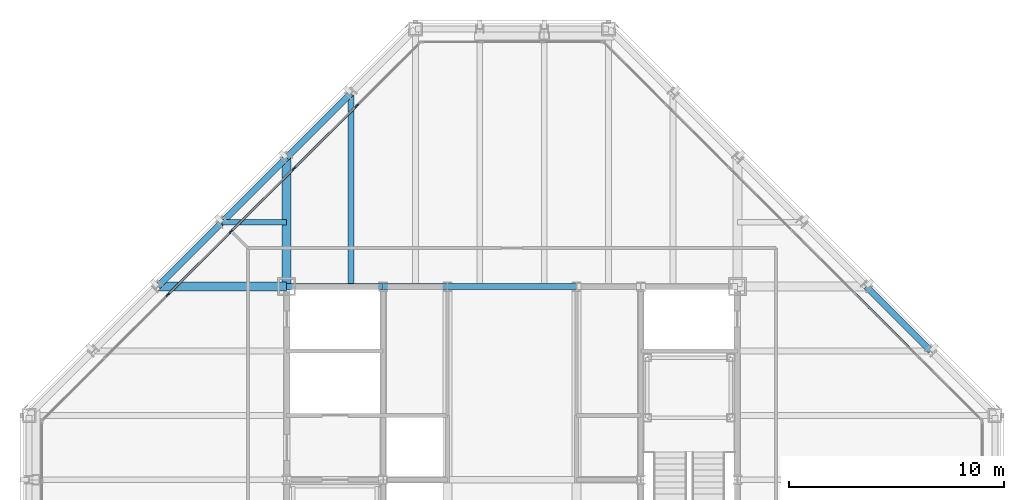
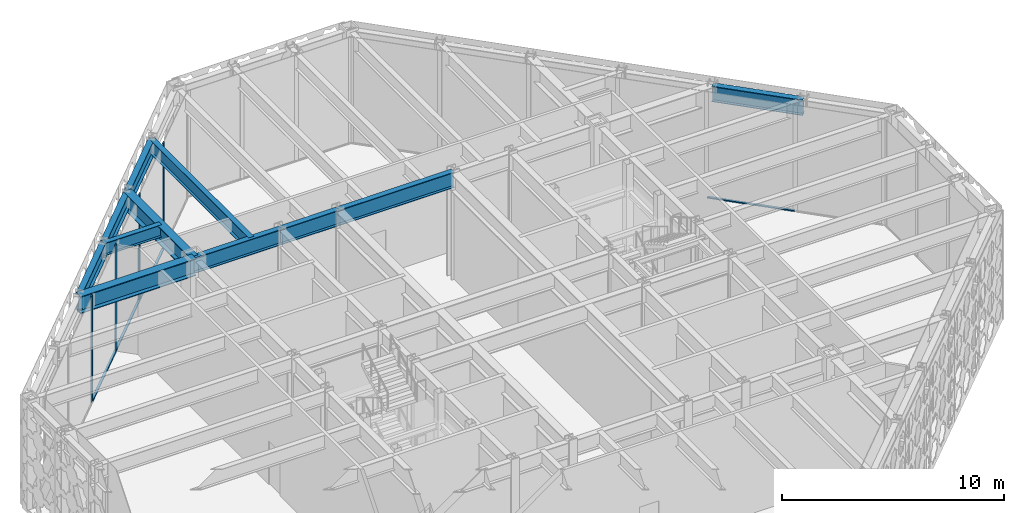
# One storey, part 8 of 28: 11 beams, 8 members, 2 elements without a shape of their own.
"""IFC4 building model written with IfcOpenShell, lengths in metres."""

from ifc_helpers import new_model, si_unit, direction, frame, origin, origin_2d, place, context, subcontext, project, spatial, rectangle, i_section, extrude, material, layer, layer_set, material_profile, profile_set, type_object, element, aggregate, save


model = new_model("IFC4")

# Units and contexts
model_context = context("Model", 3, precision=1e-05, world=origin(), true_north=direction((0.0, 1.0)))
body_context = subcontext(model_context, "Body", "Model", "MODEL_VIEW")
ifc_project = project(units=[si_unit("LENGTHUNIT", "METRE"), si_unit("AREAUNIT", "SQUARE_METRE"), si_unit("VOLUMEUNIT", "CUBIC_METRE"), si_unit("PLANEANGLEUNIT", "RADIAN"), si_unit("MASSUNIT", "GRAM", prefix="KILO")], contexts=[model_context])

# Site, building, storey
site_placement = place(None, origin())
site = spatial("IfcSite", under=ifc_project, at=site_placement, CompositionType="ELEMENT")
building_placement = place(site_placement, origin())
building = spatial("IfcBuilding", under=site, at=building_placement, Name="Chuquiago Exchange Tower", CompositionType="ELEMENT")
storey_placement = place(building_placement, frame((0.0, 0.0, 300.0)))
storey = spatial("IfcBuildingStorey", under=building, at=storey_placement, Name="L67", CompositionType="ELEMENT", Elevation=300.0)

# Beams
ifc_material_1 = material(Name="Steel ASTM A992", Category="steel")
ifc_material_profile_1 = material_profile(ifc_material_1, i_section(OverallWidth=0.2919921875, OverallDepth=0.8583984375, WebThickness=0.01708984375, FlangeThickness=0.031005859375, at=origin_2d()), Name="W33X169")
ifc_profile_set_1 = profile_set([ifc_material_profile_1], Name="Steel ASTM A992")
beam_type_1 = type_object("IfcBeamType", Name="B3 W33X169", PredefinedType="BEAM", material=ifc_profile_set_1)
beam_1_placement = place(storey_placement, frame((12.0, 33.0, 5.41064453125), z_axis=(1.0, 0.0, 0.0), x_axis=(0.0, 1.0, 0.0)))
element("IfcBeam", 1, at=beam_1_placement, inside=storey, type_object=beam_type_1, Name="CB-L68-12_33-16.5_33", PredefinedType="BEAM", context=body_context, shape_type="SweptSolid", body=[
    extrude(i_section(OverallWidth=0.2919921875, OverallDepth=0.8583984375, WebThickness=0.01708984375, FlangeThickness=0.031005859375, at=origin_2d()), origin(), (0.0, 0.0, 1.0), 4.5),
])
beam_2_placement = place(storey_placement, frame((16.5, 33.0, 5.41064453125), z_axis=(1.0, 0.0, 0.0), x_axis=(0.0, 1.0, 0.0)))
element("IfcBeam", 2, at=beam_2_placement, inside=storey, type_object=beam_type_1, Name="CB-L68-16.5_33-19.5_33", PredefinedType="BEAM", context=body_context, shape_type="SweptSolid", body=[
    extrude(i_section(OverallWidth=0.2919921875, OverallDepth=0.8583984375, WebThickness=0.01708984375, FlangeThickness=0.031005859375, at=origin_2d()), origin(), (0.0, 0.0, 1.0), 3.0),
])
beam_3_placement = place(storey_placement, frame((19.5, 33.0, 5.41064453125), z_axis=(1.0, 0.0, 0.0), x_axis=(0.0, 1.0, 0.0)))
element("IfcBeam", 3, at=beam_3_placement, inside=storey, type_object=beam_type_1, Name="CB-L68-19.5_33-25.5_33", PredefinedType="BEAM", context=body_context, shape_type="SweptSolid", body=[
    extrude(i_section(OverallWidth=0.2919921875, OverallDepth=0.8583984375, WebThickness=0.01708984375, FlangeThickness=0.031005859375, at=origin_2d()), origin(), (0.0, 0.0, 1.0), 6.0),
])
ifc_material_2 = material(Name="Steel ASTM A992", Category="steel")
ifc_material_profile_2 = material_profile(ifc_material_2, i_section(OverallWidth=0.2666015625, OverallDepth=0.761962890625, WebThickness=0.014404296875, FlangeThickness=0.021484375, at=origin_2d()), Name="W30X116")
ifc_profile_set_2 = profile_set([ifc_material_profile_2], Name="Steel ASTM A992")
beam_type_2 = type_object("IfcBeamType", Name="B8 W30X116", PredefinedType="BEAM", material=ifc_profile_set_2)
beam_4_placement = place(storey_placement, frame((15.0, 33.0, 5.458984375), z_axis=(0.0, 1.0, 0.0), x_axis=(-1.0, 0.0, 0.0)))
element("IfcBeam", 4, at=beam_4_placement, inside=storey, type_object=beam_type_2, Name="FB-L68-infill-15_33-15_42-0", PredefinedType="BEAM", context=body_context, shape_type="SweptSolid", body=[
    extrude(i_section(OverallWidth=0.2666015625, OverallDepth=0.761962890625, WebThickness=0.014404296875, FlangeThickness=0.021484375, at=origin_2d()), origin(), (0.0, 0.0, 1.0), 9.0),
])
ifc_material_3 = material(Name="Steel ASTM A992", Category="steel")
ifc_material_profile_3 = material_profile(ifc_material_3, i_section(OverallWidth=0.256591796875, OverallDepth=0.693359375, WebThickness=0.014404296875, FlangeThickness=0.023681640625, at=origin_2d()), Name="W27X114")
ifc_profile_set_3 = profile_set([ifc_material_profile_3], Name="Steel ASTM A992")
beam_type_3 = type_object("IfcBeamType", Name="B9 W27X114", PredefinedType="BEAM", material=ifc_profile_set_3)
beam_5_placement = place(storey_placement, frame((12.0, 36.0, 5.493408203125), z_axis=(-1.0, 0.0, 0.0), x_axis=(0.0, -1.0, 0.0)))
element("IfcBeam", 5, at=beam_5_placement, inside=storey, type_object=beam_type_3, Name="FB-L68-corner-12_36-9_36-0", PredefinedType="BEAM", context=body_context, shape_type="SweptSolid", body=[
    extrude(i_section(OverallWidth=0.256591796875, OverallDepth=0.693359375, WebThickness=0.014404296875, FlangeThickness=0.023681640625, at=origin_2d()), origin(), (0.0, 0.0, 1.0), 3.0),
])

# Curtain wall, members
ifc_material_4 = material(Name="Aluminium curtain wall system", Category="aluminium")
ifc_layer = layer(ifc_material_4, 0.199951171875)
ifc_layer_set = layer_set([ifc_layer], Name="CW5 lantern curtain wall")
curtain_wall_type = type_object("IfcCurtainWallType", Name="CW5 lantern curtain wall", PredefinedType="NOTDEFINED", material=ifc_layer_set)
curtain_wall_1_placement = place(storey_placement, origin())
curtain_wall_1 = element("IfcCurtainWall", 6, at=curtain_wall_1_placement, inside=storey, type_object=curtain_wall_type, Name="CW5 curtain wall L67", PredefinedType="NOTDEFINED")
ifc_material_5 = material(Name="Aluminium mullion, pale anodised", Category="aluminium")
ifc_material_profile_4 = material_profile(ifc_material_5, rectangle(XDim=0.06005859375, YDim=0.199951171875, at=origin_2d()), Name="AL 60x200")
ifc_profile_set_4 = profile_set([ifc_material_profile_4], Name="Aluminium mullion, pale anodised")
member_type_1 = type_object("IfcMemberType", Name="CW5-M mullion 60x200", PredefinedType="MULLION", material=ifc_profile_set_4)
member_1_placement = place(storey_placement, frame((15.277587890625, 41.42919921875, 0.0), z_axis=(0.0, 0.0, 1.0), x_axis=(0.707104773852, -0.707108788515, 0.0)))
member_1 = element("IfcMember", 7, at=member_1_placement, type_object=member_type_1, Name="CW5 mullion 2", PredefinedType="MULLION", context=body_context, shape_type="SweptSolid", body=[
    extrude(rectangle(XDim=0.06005859375, YDim=0.199951171875, at=origin_2d()), origin(), (0.0, 0.0, 1.0), 5.840087890625),
])
member_2_placement = place(storey_placement, frame((12.342041015625, 38.49365234375, 0.0), z_axis=(0.0, 0.0, 1.0), x_axis=(0.707104773852, -0.707108788515, 0.0)))
member_2 = element("IfcMember", 8, at=member_2_placement, type_object=member_type_1, Name="CW5 mullion 3", PredefinedType="MULLION", context=body_context, shape_type="SweptSolid", body=[
    extrude(rectangle(XDim=0.06005859375, YDim=0.199951171875, at=origin_2d()), origin(), (0.0, 0.0, 1.0), 5.840087890625),
])
member_3_placement = place(storey_placement, frame((9.406494140625, 35.55810546875, 0.0), z_axis=(0.0, 0.0, 1.0), x_axis=(0.707104773852, -0.707108788515, 0.0)))
member_3 = element("IfcMember", 9, at=member_3_placement, type_object=member_type_1, Name="CW5 mullion 4", PredefinedType="MULLION", context=body_context, shape_type="SweptSolid", body=[
    extrude(rectangle(XDim=0.06005859375, YDim=0.199951171875, at=origin_2d()), origin(), (0.0, 0.0, 1.0), 5.840087890625),
])
member_4_placement = place(storey_placement, frame((6.470947265625, 32.62255859375, 0.0), z_axis=(0.0, 0.0, 1.0), x_axis=(0.707104773852, -0.707108788515, 0.0)))
member_4 = element("IfcMember", 10, at=member_4_placement, type_object=member_type_1, Name="CW5 mullion 5", PredefinedType="MULLION", context=body_context, shape_type="SweptSolid", body=[
    extrude(rectangle(XDim=0.06005859375, YDim=0.199951171875, at=origin_2d()), origin(), (0.0, 0.0, 1.0), 5.840087890625),
])

# Curtain wall, member
curtain_wall_2_placement = place(storey_placement, origin())
curtain_wall_2 = element("IfcCurtainWall", 11, at=curtain_wall_2_placement, inside=storey, type_object=curtain_wall_type, Name="CW5 curtain wall L67", PredefinedType="NOTDEFINED")
ifc_material_6 = material(Name="Aluminium transom, pale anodised", Category="aluminium")
ifc_material_profile_5 = material_profile(ifc_material_6, rectangle(XDim=0.1201171875, YDim=0.06005859375, at=origin_2d()), Name="AL 120x60")
ifc_profile_set_5 = profile_set([ifc_material_profile_5], Name="Aluminium transom, pale anodised")
member_type_2 = type_object("IfcMemberType", Name="CW5-T transom 60x120", PredefinedType="MULLION", material=ifc_profile_set_5)
member_5_placement = place(storey_placement, frame((41.407958984375, 29.74365234375, 0.030029296875), z_axis=(-0.707106781187, 0.707106781187, 0.0), x_axis=(-0.707106781187, -0.707106781187, 0.0)))
member_5 = element("IfcMember", 12, at=member_5_placement, type_object=member_type_2, Name="CW5 transom 2.1", PredefinedType="MULLION", context=body_context, shape_type="SweptSolid", body=[
    extrude(rectangle(XDim=0.1201171875, YDim=0.06005859375, at=origin_2d()), origin(), (0.0, 0.0, 1.0), 4.09130859375),
])
aggregate(curtain_wall_2, [member_5])

# Member
member_6_placement = place(storey_placement, frame((15.25634765625, 41.407958984375, 0.030029296875), z_axis=(-0.707106781187, -0.707106781187, 0.0), x_axis=(0.707106781187, -0.707106781187, 0.0)))
member_6 = element("IfcMember", 13, at=member_6_placement, type_object=member_type_2, Name="CW5 transom 2.1", PredefinedType="MULLION", context=body_context, shape_type="SweptSolid", body=[
    extrude(rectangle(XDim=0.1201171875, YDim=0.06005859375, at=origin_2d()), origin(), (0.0, 0.0, 1.0), 4.09130859375),
])

member_7_placement = place(storey_placement, frame((12.32080078125, 38.472412109375, 0.030029296875), z_axis=(-0.707106781187, -0.707106781187, 0.0), x_axis=(0.707106781187, -0.707106781187, 0.0)))
member_7 = element("IfcMember", 14, at=member_7_placement, type_object=member_type_2, Name="CW5 transom 3.1", PredefinedType="MULLION", context=body_context, shape_type="SweptSolid", body=[
    extrude(rectangle(XDim=0.1201171875, YDim=0.06005859375, at=origin_2d()), origin(), (0.0, 0.0, 1.0), 4.09130859375),
])

member_8_placement = place(storey_placement, frame((9.385498046875, 35.536865234375, 0.030029296875), z_axis=(-0.707136615027, -0.707076946087, 0.0), x_axis=(0.707076946087, -0.707136615027, 0.0)))
member_8 = element("IfcMember", 15, at=member_8_placement, type_object=member_type_2, Name="CW5 transom 4.1", PredefinedType="MULLION", context=body_context, shape_type="SweptSolid", body=[
    extrude(rectangle(XDim=0.1201171875, YDim=0.06005859375, at=origin_2d()), origin(), (0.0, 0.0, 1.0), 4.091552734375),
])

aggregate(curtain_wall_1, [member_1, member_2, member_3, member_4, member_6, member_7, member_8])

# Beams
ifc_material_7 = material(Name="Steel ASTM A992", Category="steel")
ifc_material_profile_6 = material_profile(ifc_material_7, i_section(OverallWidth=0.424072265625, OverallDepth=0.947509765625, WebThickness=0.02392578125, FlangeThickness=0.042724609375, at=origin_2d()), Name="W36X302")
ifc_profile_set_6 = profile_set([ifc_material_profile_6], Name="Steel ASTM A992")
beam_type_4 = type_object("IfcBeamType", Name="G4 W36X302", PredefinedType="BEAM", material=ifc_profile_set_6)
for number, where, z_axis, x_axis, name in (
    (16, (12.0, 33.0, 5.3662109375), (0.0, 1.0, 0.0), (-1.0, 0.0, 0.0), "FB-L68-girder-12_33-12_39-0"),
    (17, (12.0, 33.0, 5.3662109375), (-1.0, 0.0, 0.0), (0.0, -1.0, 0.0), "FB-L68-girder-12_33-6_33-0"),
):
    element("IfcBeam", number, at=place(storey_placement, frame(where, z_axis=z_axis, x_axis=x_axis)), inside=storey, type_object=beam_type_4, Name=name, PredefinedType="BEAM", context=body_context, shape_type="SweptSolid", body=[
        extrude(i_section(OverallWidth=0.424072265625, OverallDepth=0.947509765625, WebThickness=0.02392578125, FlangeThickness=0.042724609375, at=origin_2d()), origin(), (0.0, 0.0, 1.0), 6.0),
    ])
ifc_material_8 = material(Name="Steel ASTM A992", Category="steel")
ifc_material_profile_7 = material_profile(ifc_material_8, i_section(OverallWidth=0.2919921875, OverallDepth=0.8583984375, WebThickness=0.01708984375, FlangeThickness=0.031005859375, at=origin_2d()), Name="W33X169")
ifc_profile_set_7 = profile_set([ifc_material_profile_7], Name="Steel ASTM A992")
beam_type_5 = type_object("IfcBeamType", Name="SP4 W33X169", PredefinedType="SPANDREL", material=ifc_profile_set_7)
for number, where, z_axis, x_axis, name in (
    (18, (42.0, 30.0, 5.41064453125), (-0.707106781187, 0.707106781187, 0.0), (-0.707106781187, -0.707106781187, 0.0), "SPB-L68-42_30-39_33"),
    (19, (15.0, 42.0, 5.41064453125), (-0.707106781187, -0.707106781187, 0.0), (0.707106781187, -0.707106781187, 0.0), "SPB-L68-15_42-12_39"),
    (20, (12.0, 39.0, 5.41064453125), (-0.707106781187, -0.707106781187, 0.0), (0.707106781187, -0.707106781187, 0.0), "SPB-L68-12_39-9_36"),
    (21, (9.0, 36.0, 5.41064453125), (-0.707106781187, -0.707106781187, 0.0), (0.707106781187, -0.707106781187, 0.0), "SPB-L68-9_36-6_33"),
):
    element("IfcBeam", number, at=place(storey_placement, frame(where, z_axis=z_axis, x_axis=x_axis)), inside=storey, type_object=beam_type_5, Name=name, PredefinedType="SPANDREL", context=body_context, shape_type="SweptSolid", body=[
        extrude(i_section(OverallWidth=0.2919921875, OverallDepth=0.8583984375, WebThickness=0.01708984375, FlangeThickness=0.031005859375, at=origin_2d()), origin(), (0.0, 0.0, 1.0), 4.24267578125),
    ])

save(model, "model.ifc")
